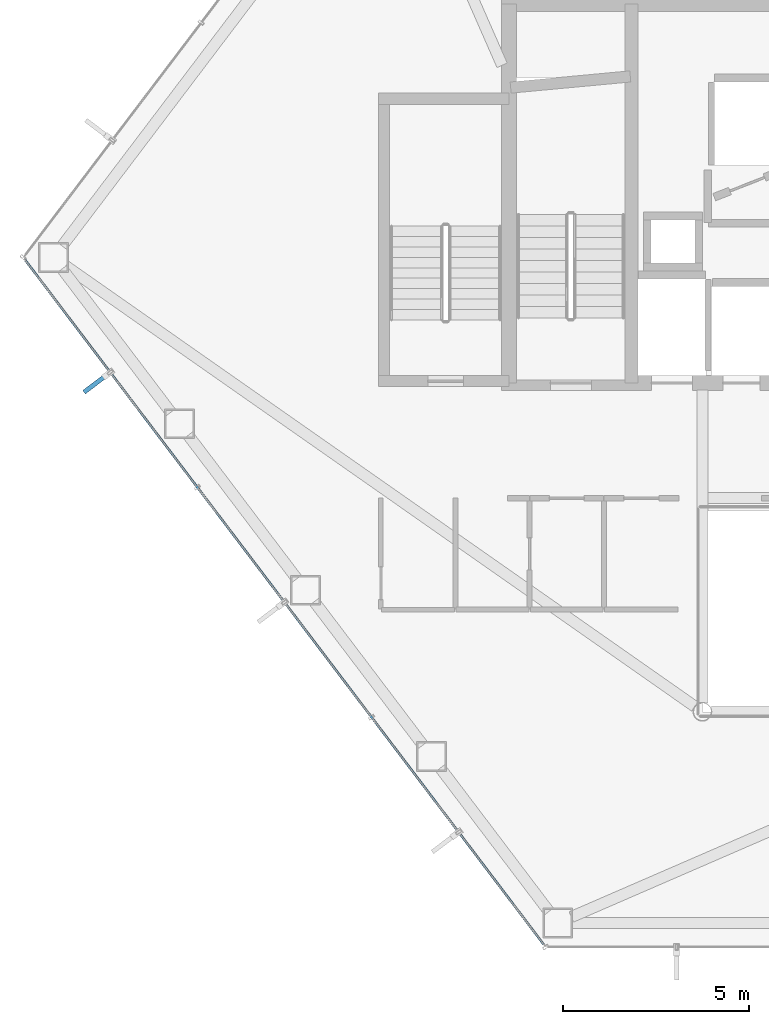
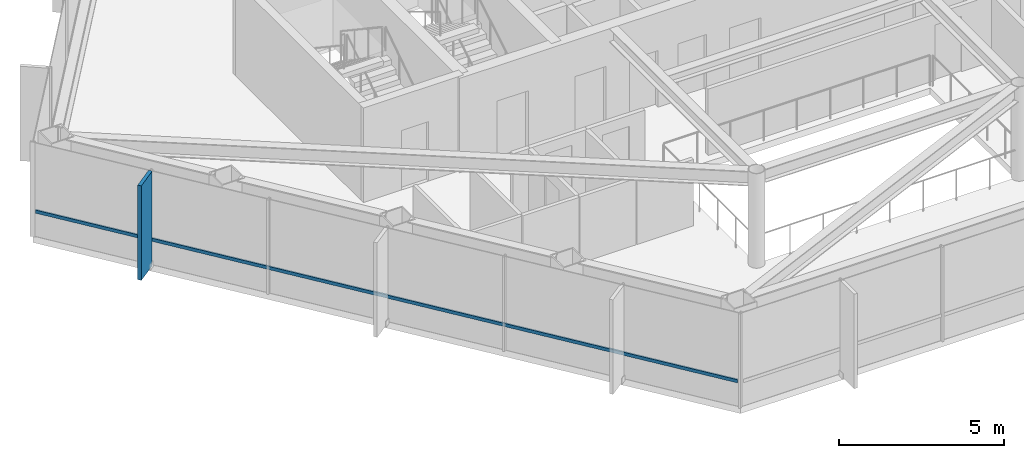
# One storey, part 3 of 28: 2 members, 1 element without a shape of its own.
"""IFC4 building model written with IfcOpenShell, lengths in metres."""

from ifc_helpers import new_model, si_unit, direction, frame, origin, origin_2d, place, context, subcontext, project, spatial, rectangle, hollow_rectangle, extrude, material, layer, layer_set, material_profile, profile_set, type_object, element, aggregate, save


model = new_model("IFC4")

# Units and contexts
model_context = context("Model", 3, precision=1e-05, world=origin(), true_north=direction((0.0, 1.0)))
body_context = subcontext(model_context, "Body", "Model", "MODEL_VIEW")
ifc_project = project(units=[si_unit("LENGTHUNIT", "METRE"), si_unit("AREAUNIT", "SQUARE_METRE"), si_unit("VOLUMEUNIT", "CUBIC_METRE"), si_unit("PLANEANGLEUNIT", "RADIAN"), si_unit("MASSUNIT", "GRAM", prefix="KILO")], contexts=[model_context])

# Site, building, storey
site_placement = place(None, origin())
site = spatial("IfcSite", under=ifc_project, at=site_placement, CompositionType="ELEMENT")
building_placement = place(site_placement, origin())
building = spatial("IfcBuilding", under=site, at=building_placement, Name="Zarrinselat Tower", CompositionType="ELEMENT")
storey_placement = place(building_placement, frame((0.0, 0.0, 123.419921875)))
storey = spatial("IfcBuildingStorey", under=building, at=storey_placement, Name="L29", CompositionType="ELEMENT", Elevation=123.419921875)

# Curtain wall, members
ifc_material_1 = material(Name="Extruded Aluminium Alloy EN AW-6063 T6", Category="aluminium")
ifc_layer = layer(ifc_material_1, 0.175048828125)
ifc_layer_set = layer_set([ifc_layer], Name="Extruded Aluminium Alloy EN AW-6063 T6")
curtain_wall_type = type_object("IfcCurtainWallType", Name="CWS-HTL", PredefinedType="NOTDEFINED", material=ifc_layer_set)
curtain_wall_placement = place(storey_placement, origin())
curtain_wall = element("IfcCurtainWall", 1, at=curtain_wall_placement, inside=storey, type_object=curtain_wall_type, Name="L29 Unitised Curtain Wall CW-L29-E03", PredefinedType="NOTDEFINED")
ifc_material_2 = material(Name="Extruded Aluminium Alloy EN AW-6063 T6", Category="aluminium")
ifc_material_profile_1 = material_profile(ifc_material_2, hollow_rectangle(XDim=0.06005859375, YDim=0.1201171875, WallThickness=0.00390625, at=origin_2d()), Name="RHS 120x60x4")
ifc_profile_set_1 = profile_set([ifc_material_profile_1], Name="Extruded Aluminium Alloy EN AW-6063 T6")
member_type_1 = type_object("IfcMemberType", Name="MEM-CW-TRN2", PredefinedType="USERDEFINED", material=ifc_profile_set_1)
member_1_placement = place(storey_placement, frame((15.57373046875, 36.55712890625, 0.9501953125), z_axis=(0.60386236649, -0.797088603818, 0.0), x_axis=(0.797088603818, 0.60386236649, 0.0)))
member_1 = element("IfcMember", 2, at=member_1_placement, type_object=member_type_1, Name="CW-L29-E03 Transom 1", ObjectType="TRANSOM", PredefinedType="USERDEFINED", context=body_context, shape_type="SweptSolid", body=[
    extrude(hollow_rectangle(XDim=0.06005859375, YDim=0.1201171875, WallThickness=0.00390625, at=origin_2d()), origin(), (0.0, 0.0, 1.0), 23.108154296875),
])
ifc_material_3 = material(Name="Honed Cream Travertine Stone", Category="masonry")
ifc_material_profile_2 = material_profile(ifc_material_3, rectangle(XDim=0.1201171875, YDim=0.85009765625, at=origin_2d()), Name="FIN 850x120")
ifc_profile_set_2 = profile_set([ifc_material_profile_2], Name="Honed Cream Travertine Stone")
member_type_2 = type_object("IfcMemberType", Name="MEM-STONE-FIN", PredefinedType="USERDEFINED", material=ifc_profile_set_2)
member_2_placement = place(storey_placement, frame((17.49658203125, 33.25732421875, 0.0), z_axis=(0.0, 0.0, 1.0), x_axis=(-0.603858349394, 0.797091647094, 0.0)))
member_2 = element("IfcMember", 3, at=member_2_placement, type_object=member_type_2, Name="L29 Stone Shading Fin CW-L29-E03-01", ObjectType="FIN", PredefinedType="USERDEFINED", context=body_context, shape_type="SweptSolid", body=[
    extrude(rectangle(XDim=0.1201171875, YDim=0.85009765625, at=origin_2d()), origin(), (0.0, 0.0, 1.0), 3.5),
])
aggregate(curtain_wall, [member_2, member_1])

save(model, "model.ifc")
